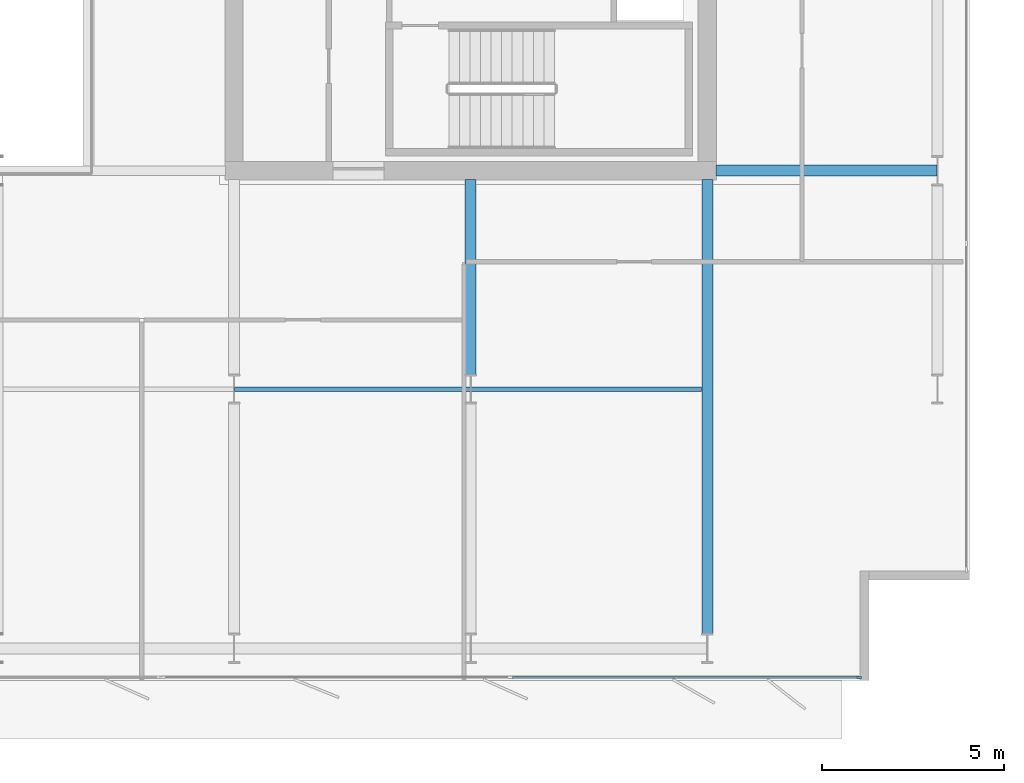
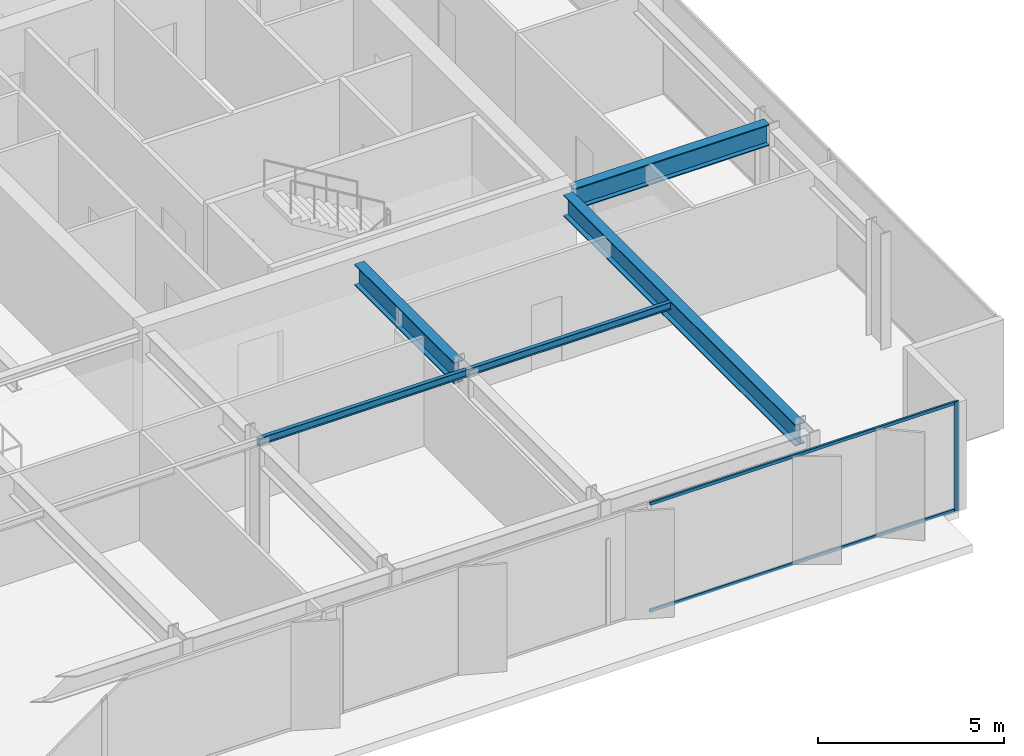
# One storey, part 8 of 23: 5 beams, 3 members, 1 element without a shape of its own.
"""IFC4 building model written with IfcOpenShell, lengths in metres."""

from ifc_helpers import new_model, si_unit, direction, frame, origin, origin_2d, place, context, subcontext, project, spatial, rectangle, i_section, extrude, material, layer, layer_set, material_profile, profile_set, type_object, element, aggregate, save


model = new_model("IFC4")

# Units and contexts
model_context = context("Model", 3, precision=1e-05, world=origin(), true_north=direction((0.0, 1.0)))
body_context = subcontext(model_context, "Body", "Model", "MODEL_VIEW")
ifc_project = project(units=[si_unit("LENGTHUNIT", "METRE"), si_unit("AREAUNIT", "SQUARE_METRE"), si_unit("VOLUMEUNIT", "CUBIC_METRE"), si_unit("PLANEANGLEUNIT", "RADIAN"), si_unit("MASSUNIT", "GRAM", prefix="KILO")], contexts=[model_context])

# Site, building, storey
site_placement = place(None, origin())
site = spatial("IfcSite", under=ifc_project, at=site_placement, CompositionType="ELEMENT")
building_placement = place(site_placement, origin())
building = spatial("IfcBuilding", under=site, at=building_placement, Name="Putna Gate Headquarters", CompositionType="ELEMENT")
storey_placement = place(building_placement, frame((0.0, 0.0, 202.39990234375)))
storey = spatial("IfcBuildingStorey", under=building, at=storey_placement, Name="L50", CompositionType="ELEMENT", Elevation=202.39990234375)

# Beams
ifc_material_1 = material(Name="Steel S355J2", Category="steel")
ifc_material_profile_1 = material_profile(ifc_material_1, i_section(OverallWidth=0.300048828125, OverallDepth=0.699951171875, WebThickness=0.01708984375, FlangeThickness=0.031982421875, at=origin_2d()), Name="Steel S355J2")
ifc_profile_set_1 = profile_set([ifc_material_profile_1], Name="Steel S355J2")
beam_type_1 = type_object("IfcBeamType", Name="BM-GIRD-B-HEB700", PredefinedType="USERDEFINED", material=ifc_profile_set_1)
beam_1_placement = place(storey_placement, frame((65.235107421875, 19.0, 3.22998046875), z_axis=(1.0, 0.0, 0.0), x_axis=(0.0, 1.0, 0.0)))
element("IfcBeam", 1, at=beam_1_placement, inside=storey, type_object=beam_type_1, Name="L50 East Wing Girder Y19", ObjectType="GIRDER", PredefinedType="USERDEFINED", context=body_context, shape_type="SweptSolid", body=[
    extrude(i_section(OverallWidth=0.300048828125, OverallDepth=0.699951171875, WebThickness=0.01708984375, FlangeThickness=0.031982421875, at=origin_2d()), origin(), (0.0, 0.0, 1.0), 6.078857421875),
])
beam_2_placement = place(storey_placement, frame((58.5, 13.39501953125, 3.22998046875), z_axis=(0.0, 1.0, 0.0), x_axis=(-1.0, 0.0, 0.0)))
element("IfcBeam", 2, at=beam_2_placement, inside=storey, type_object=beam_type_1, Name="L50 South Primary Girder X58-2", ObjectType="GIRDER", PredefinedType="USERDEFINED", context=body_context, shape_type="SweptSolid", body=[
    extrude(i_section(OverallWidth=0.300048828125, OverallDepth=0.699951171875, WebThickness=0.01708984375, FlangeThickness=0.031982421875, at=origin_2d()), origin(), (0.0, 0.0, 1.0), 5.369873046875),
])
beam_3_placement = place(storey_placement, frame((65.0, 6.27490234375, 3.22998046875), z_axis=(0.0, 1.0, 0.0), x_axis=(-1.0, 0.0, 0.0)))
element("IfcBeam", 3, at=beam_3_placement, inside=storey, type_object=beam_type_1, Name="L50 South Primary Girder X65", ObjectType="GIRDER", PredefinedType="USERDEFINED", context=body_context, shape_type="SweptSolid", body=[
    extrude(i_section(OverallWidth=0.300048828125, OverallDepth=0.699951171875, WebThickness=0.01708984375, FlangeThickness=0.031982421875, at=origin_2d()), origin(), (0.0, 0.0, 1.0), 12.489990234375),
])
ifc_material_profile_2 = material_profile(ifc_material_1, i_section(OverallWidth=0.1201171875, OverallDepth=0.239990234375, WebThickness=0.006103515625, FlangeThickness=0.009765625, at=origin_2d()), Name="Steel S355J2")
ifc_profile_set_2 = profile_set([ifc_material_profile_2], Name="Steel S355J2")
beam_type_2 = type_object("IfcBeamType", Name="BM-SEC-Z4-IPE240", PredefinedType="JOIST", material=ifc_profile_set_2)
beam_4_placement = place(storey_placement, frame((52.006103515625, 13.0, 3.460205078125), z_axis=(1.0, 0.0, 0.0), x_axis=(0.0, 1.0, 0.0)))
element("IfcBeam", 4, at=beam_4_placement, inside=storey, type_object=beam_type_2, Name="L50 South Secondary Beam 7", PredefinedType="JOIST", context=body_context, shape_type="SweptSolid", body=[
    extrude(i_section(OverallWidth=0.1201171875, OverallDepth=0.239990234375, WebThickness=0.006103515625, FlangeThickness=0.009765625, at=origin_2d()), origin(), (0.0, 0.0, 1.0), 6.48779296875),
])
beam_5_placement = place(storey_placement, frame((58.506103515625, 13.0, 3.460205078125), z_axis=(1.0, 0.0, 0.0), x_axis=(0.0, 1.0, 0.0)))
element("IfcBeam", 5, at=beam_5_placement, inside=storey, type_object=beam_type_2, Name="L50 South Secondary Beam 8", PredefinedType="JOIST", context=body_context, shape_type="SweptSolid", body=[
    extrude(i_section(OverallWidth=0.1201171875, OverallDepth=0.239990234375, WebThickness=0.006103515625, FlangeThickness=0.009765625, at=origin_2d()), origin(), (0.0, 0.0, 1.0), 6.33984375),
])

# Curtain wall, members
ifc_material_2 = material(Name="Anodised bronze aluminium curtain wall", Category="aluminium")
ifc_layer = layer(ifc_material_2, 0.139892578125)
ifc_layer_set = layer_set([ifc_layer], Name="Anodised bronze aluminium curtain wall")
curtain_wall_type = type_object("IfcCurtainWallType", Name="CW-SYS-Z4", PredefinedType="USERDEFINED", material=ifc_layer_set)
curtain_wall_placement = place(storey_placement, origin())
curtain_wall = element("IfcCurtainWall", 6, at=curtain_wall_placement, inside=storey, type_object=curtain_wall_type, Name="L50 South East Curtain Wall", ObjectType="STICK CURTAIN WALL", PredefinedType="USERDEFINED")
ifc_material_3 = material(Name="Anodised bronze aluminium EN AW-6060", Category="aluminium")
ifc_material_profile_3 = material_profile(ifc_material_3, rectangle(XDim=0.06005859375, YDim=0.139892578125, at=origin_2d()), Name="Anodised bronze aluminium EN AW-6060")
ifc_profile_set_3 = profile_set([ifc_material_profile_3], Name="Anodised bronze aluminium EN AW-6060")
member_type_1 = type_object("IfcMemberType", Name="MULL-CWM-4", PredefinedType="MULLION", material=ifc_profile_set_3)
member_1_placement = place(storey_placement, frame((69.169921875, 5.080078125, 0.0), z_axis=(0.0, 0.0, 1.0), x_axis=(0.0, 1.0, 0.0)))
member_1 = element("IfcMember", 7, at=member_1_placement, type_object=member_type_1, Name="CWS-4 mullion 3", PredefinedType="MULLION", context=body_context, shape_type="SweptSolid", body=[
    extrude(rectangle(XDim=0.06005859375, YDim=0.139892578125, at=origin_2d()), origin(), (0.0, 0.0, 1.0), 3.580078125),
])
ifc_material_profile_4 = material_profile(ifc_material_3, rectangle(XDim=0.06005859375, YDim=0.10009765625, at=origin_2d()), Name="Anodised bronze aluminium EN AW-6060")
ifc_profile_set_4 = profile_set([ifc_material_profile_4], Name="Anodised bronze aluminium EN AW-6060")
member_type_2 = type_object("IfcMemberType", Name="TRAN-CWT-4", PredefinedType="USERDEFINED", material=ifc_profile_set_4)
member_2_placement = place(storey_placement, frame((59.6298828125, 5.080078125, 0.030029296875), z_axis=(1.0, 0.0, 0.0), x_axis=(0.0, 1.0, 0.0)))
member_2 = element("IfcMember", 8, at=member_2_placement, type_object=member_type_2, Name="CWS-4 transom 2.1", ObjectType="TRANSOM", PredefinedType="USERDEFINED", context=body_context, shape_type="SweptSolid", body=[
    extrude(rectangle(XDim=0.06005859375, YDim=0.10009765625, at=origin_2d()), origin(), (0.0, 0.0, 1.0), 9.510009765625),
])
member_3_placement = place(storey_placement, frame((59.6298828125, 5.080078125, 3.550048828125), z_axis=(1.0, 0.0, 0.0), x_axis=(0.0, 1.0, 0.0)))
member_3 = element("IfcMember", 9, at=member_3_placement, type_object=member_type_2, Name="CWS-4 transom 2.2", ObjectType="TRANSOM", PredefinedType="USERDEFINED", context=body_context, shape_type="SweptSolid", body=[
    extrude(rectangle(XDim=0.06005859375, YDim=0.10009765625, at=origin_2d()), origin(), (0.0, 0.0, 1.0), 9.510009765625),
])
aggregate(curtain_wall, [member_1, member_2, member_3])

save(model, "model.ifc")
